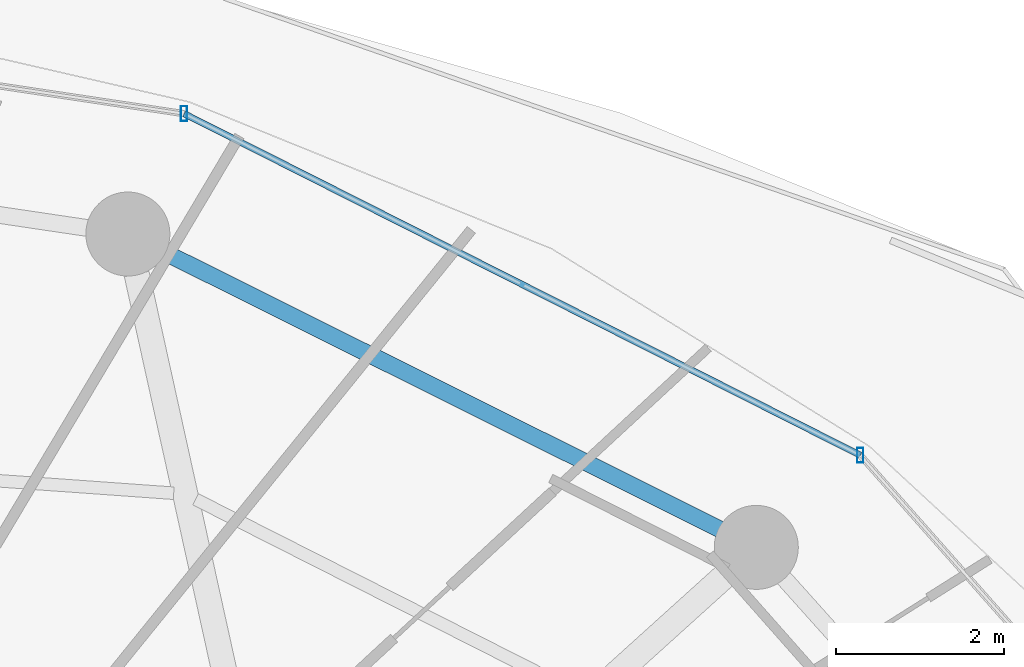
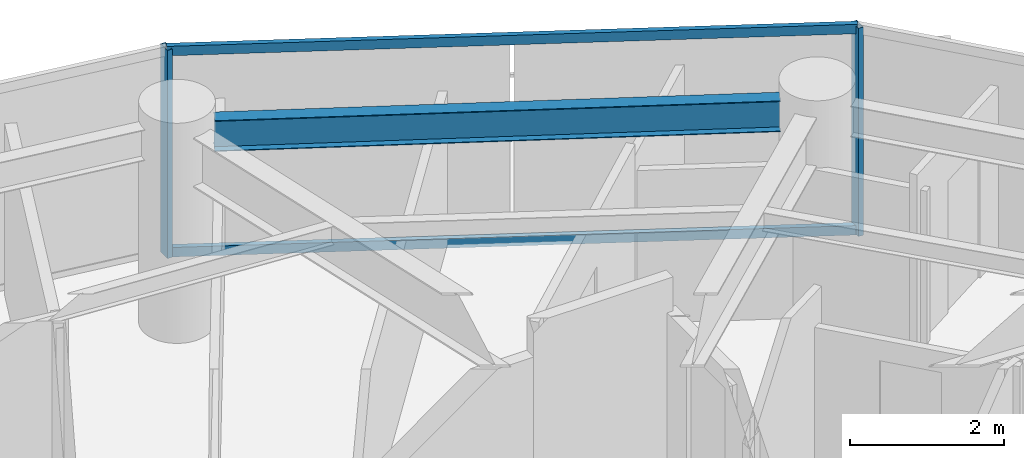
# One storey, part 18 of 28: 4 members, 1 beam, 1 element without a shape of its own.
"""IFC4 building model written with IfcOpenShell, lengths in metres."""

from ifc_helpers import new_model, si_unit, direction, frame, origin, origin_2d, place, context, subcontext, project, spatial, hollow_rectangle, i_section, extrude, material, material_profile, profile_set, type_object, element, aggregate, save


model = new_model("IFC4")

# Units and contexts
model_context = context("Model", 3, precision=1e-05, world=origin(), true_north=direction((0.0, 1.0)))
body_context = subcontext(model_context, "Body", "Model", "MODEL_VIEW")
ifc_project = project(units=[si_unit("LENGTHUNIT", "METRE"), si_unit("AREAUNIT", "SQUARE_METRE"), si_unit("VOLUMEUNIT", "CUBIC_METRE"), si_unit("PLANEANGLEUNIT", "RADIAN"), si_unit("MASSUNIT", "GRAM", prefix="KILO")], contexts=[model_context])

# Site, building, storey
site_placement = place(None, origin())
site = spatial("IfcSite", under=ifc_project, at=site_placement, CompositionType="ELEMENT")
building_placement = place(site_placement, origin())
building = spatial("IfcBuilding", under=site, at=building_placement, Name="Vorneva Point Tower", CompositionType="ELEMENT")
storey_placement = place(building_placement, frame((0.0, 0.0, 146.60009765625)))
storey = spatial("IfcBuildingStorey", under=building, at=storey_placement, Name="L39", CompositionType="ELEMENT", Elevation=146.60009765625)

# Beam
ifc_material_1 = material(Name="Steel S355", Category="steel")
ifc_material_profile_1 = material_profile(ifc_material_1, i_section(OverallWidth=0.199951171875, OverallDepth=0.491943359375, WebThickness=0.0087890625, FlangeThickness=0.011962890625, at=origin_2d()), Name="50B1")
ifc_profile_set_1 = profile_set([ifc_material_profile_1], Name="Steel S355")
beam_type = type_object("IfcBeamType", Name="BM-SPN-50B1", PredefinedType="SPANDREL", material=ifc_profile_set_1)
beam_placement = place(storey_placement, frame((53.86474609375, 38.378662109375, 2.993896484375), z_axis=(-0.894929061397, 0.446208443518, 0.0), x_axis=(-0.446208443518, -0.894929061397, 0.0)))
element("IfcBeam", 1, at=beam_placement, inside=storey, type_object=beam_type, Name="L39 Perimeter Spandrel Ring Beam 03", PredefinedType="SPANDREL", context=body_context, shape_type="SweptSolid", body=[
    extrude(i_section(OverallWidth=0.199951171875, OverallDepth=0.491943359375, WebThickness=0.0087890625, FlangeThickness=0.011962890625, at=origin_2d()), origin(), (0.0, 0.0, 1.0), 7.385986328125),
])

# Curtain wall, members
ifc_material_2 = material(Name="Pale anodised aluminium", Category="aluminium")
curtain_wall_type = type_object("IfcCurtainWallType", Name="CW-RES-SYS", PredefinedType="NOTDEFINED", material=ifc_material_2)
curtain_wall_placement = place(storey_placement, origin())
curtain_wall = element("IfcCurtainWall", 2, at=curtain_wall_placement, inside=storey, type_object=curtain_wall_type, Name="L39 Unitised Curtain Wall CW-L39-R01", PredefinedType="NOTDEFINED")
ifc_material_profile_2 = material_profile(ifc_material_2, hollow_rectangle(XDim=0.074951171875, YDim=0.179931640625, WallThickness=0.00390625, at=origin_2d()), Name="AL-MUL 180x75x4")
ifc_profile_set_2 = profile_set([ifc_material_profile_2], Name="Pale anodised aluminium")
member_type_1 = type_object("IfcMemberType", Name="CW-MUL-180", PredefinedType="MULLION", material=ifc_profile_set_2)
member_1_placement = place(storey_placement, frame((55.5361328125, 39.25830078125, -0.0400390625), z_axis=(0.0, 0.0, 1.0), x_axis=(1.0, 0.0, 0.0)))
member_1 = element("IfcMember", 3, at=member_1_placement, type_object=member_type_1, Name="CW-L39-R01 Mullion 02", PredefinedType="MULLION", context=body_context, shape_type="SweptSolid", body=[
    extrude(hollow_rectangle(XDim=0.074951171875, YDim=0.179931640625, WallThickness=0.00390625, at=origin_2d()), origin(), (0.0, 0.0, 1.0), 3.31005859375),
])
member_2_placement = place(storey_placement, frame((47.490478515625, 43.32275390625, -0.0400390625), z_axis=(0.0, 0.0, 1.0), x_axis=(1.0, 0.0, 0.0)))
member_2 = element("IfcMember", 4, at=member_2_placement, type_object=member_type_1, Name="CW-L39-R01 Mullion 03", PredefinedType="MULLION", context=body_context, shape_type="SweptSolid", body=[
    extrude(hollow_rectangle(XDim=0.074951171875, YDim=0.179931640625, WallThickness=0.00390625, at=origin_2d()), origin(), (0.0, 0.0, 1.0), 3.31005859375),
])
ifc_material_profile_3 = material_profile(ifc_material_2, hollow_rectangle(XDim=0.074951171875, YDim=0.14990234375, WallThickness=0.00390625, at=origin_2d()), Name="AL-TRN 150x75x4")
ifc_profile_set_3 = profile_set([ifc_material_profile_3], Name="Pale anodised aluminium")
member_type_2 = type_object("IfcMemberType", Name="CW-TRN-150", PredefinedType="USERDEFINED", material=ifc_profile_set_3)
member_3_placement = place(storey_placement, frame((55.5361328125, 39.25830078125, 0.02001953125), z_axis=(-0.892572392955, 0.450904117673, 0.0), x_axis=(-0.450904117673, -0.892572392955, 0.0)))
member_3 = element("IfcMember", 5, at=member_3_placement, type_object=member_type_2, Name="CW-L39-R01 Transom 02.1", ObjectType="TRANSOM", PredefinedType="USERDEFINED", context=body_context, shape_type="SweptSolid", body=[
    extrude(hollow_rectangle(XDim=0.074951171875, YDim=0.14990234375, WallThickness=0.00390625, at=origin_2d()), origin(), (0.0, 0.0, 1.0), 9.013916015625),
])
member_4_placement = place(storey_placement, frame((55.5361328125, 39.25830078125, 3.219970703125), z_axis=(-0.892572392955, 0.450904117673, 0.0), x_axis=(-0.450904117673, -0.892572392955, 0.0)))
member_4 = element("IfcMember", 6, at=member_4_placement, type_object=member_type_2, Name="CW-L39-R01 Transom 02.2", ObjectType="TRANSOM", PredefinedType="USERDEFINED", context=body_context, shape_type="SweptSolid", body=[
    extrude(hollow_rectangle(XDim=0.074951171875, YDim=0.14990234375, WallThickness=0.00390625, at=origin_2d()), origin(), (0.0, 0.0, 1.0), 9.013916015625),
])
aggregate(curtain_wall, [member_1, member_2, member_3, member_4])

save(model, "model.ifc")
